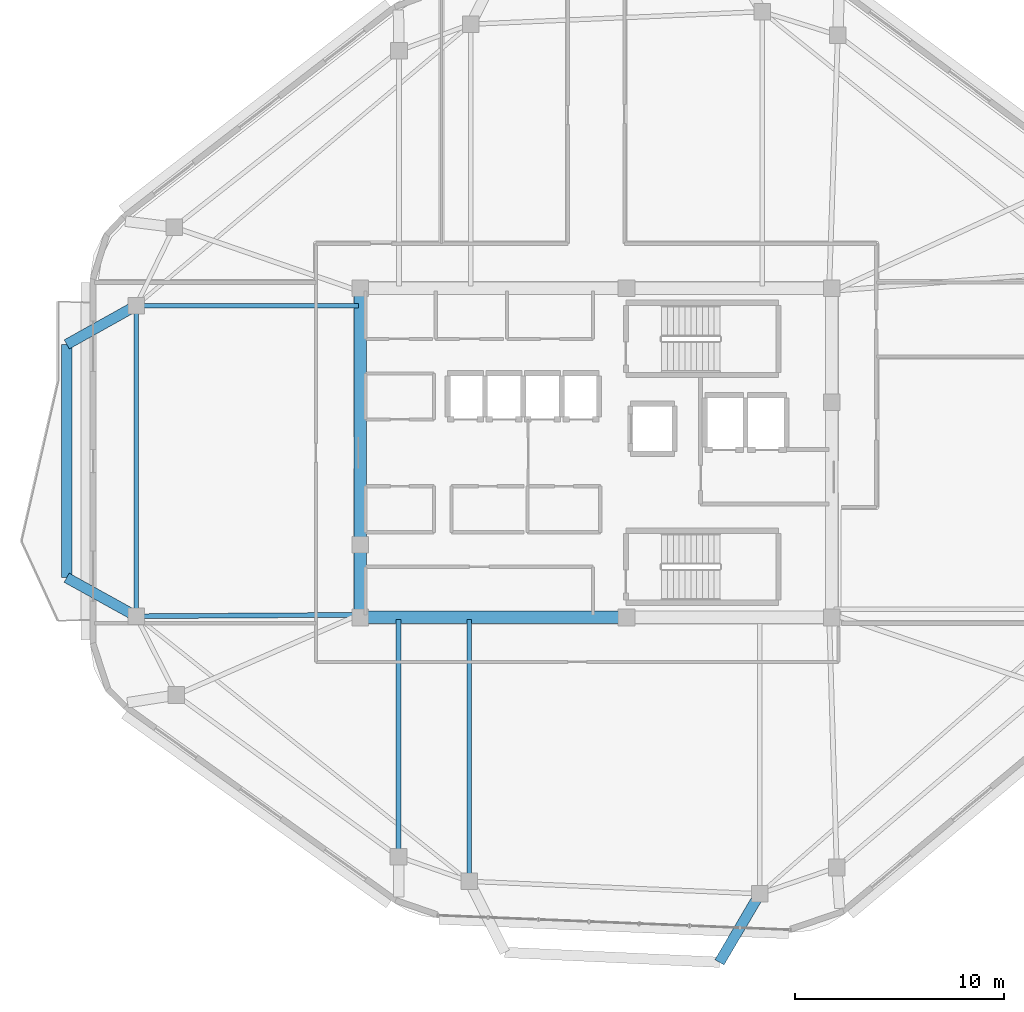
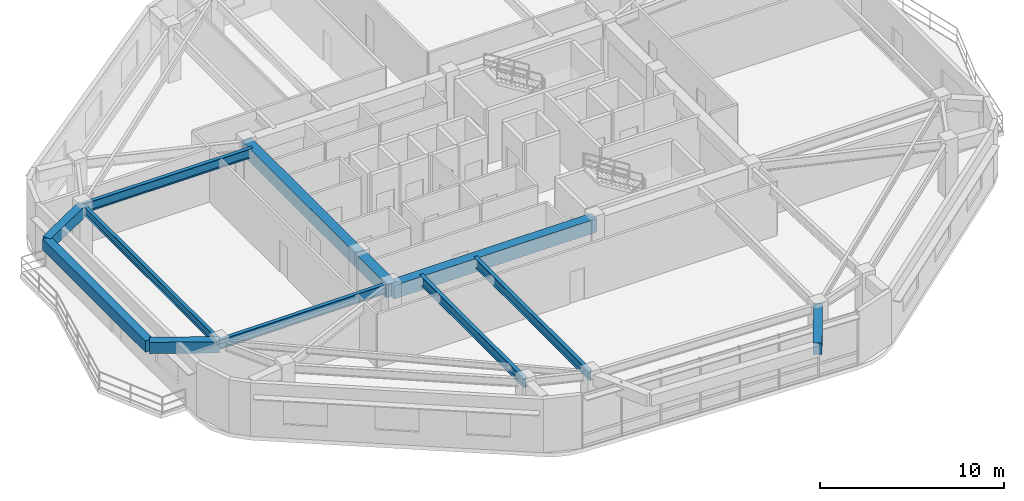
# One storey, part 4 of 13: 12 beams.
"""IFC4 building model written with IfcOpenShell, lengths in metres."""

from ifc_helpers import new_model, si_unit, direction, frame, origin, origin_2d, place, context, subcontext, project, spatial, rectangle, i_section, extrude, material, material_profile, profile_set, type_object, element, save


model = new_model("IFC4")

# Units and contexts
model_context = context("Model", 3, precision=1e-05, world=origin(), true_north=direction((0.0, 1.0)))
body_context = subcontext(model_context, "Body", "Model", "MODEL_VIEW")
ifc_project = project(units=[si_unit("LENGTHUNIT", "METRE"), si_unit("AREAUNIT", "SQUARE_METRE"), si_unit("VOLUMEUNIT", "CUBIC_METRE"), si_unit("PLANEANGLEUNIT", "RADIAN"), si_unit("MASSUNIT", "GRAM", prefix="KILO")], contexts=[model_context])

# Site, building, storey
site_placement = place(None, origin())
site = spatial("IfcSite", under=ifc_project, at=site_placement, CompositionType="ELEMENT")
building_placement = place(site_placement, origin())
building = spatial("IfcBuilding", under=site, at=building_placement, Name="Zulverin Broadcast Headquarters", CompositionType="ELEMENT")
storey_placement = place(building_placement, frame((0.0, 0.0, 278.199951171875)))
storey = spatial("IfcBuildingStorey", under=building, at=storey_placement, Name="L71", CompositionType="ELEMENT", Elevation=278.199951171875)

# Beams
ifc_material_1 = material(Name="Concrete C60/75", Category="concrete")
ifc_material_profile_1 = material_profile(ifc_material_1, rectangle(XDim=0.60009765625, YDim=0.89990234375, at=origin_2d()), Name="Concrete C60/75", Category="concrete")
ifc_profile_set_1 = profile_set([ifc_material_profile_1], Name="Concrete C60/75")
beam_type_1 = type_object("IfcBeamType", Name="BM-CB-600x900", PredefinedType="LINTEL", material=ifc_profile_set_1)
beam_1_placement = place(storey_placement, frame((25.72509765625, 17.324951171875, 3.090087890625), z_axis=(1.0, 0.0, 0.0), x_axis=(0.0, 1.0, 0.0)))
element("IfcBeam", 1, at=beam_1_placement, inside=storey, type_object=beam_type_1, Name="L71 Core Coupling Girder K01-K02", PredefinedType="LINTEL", context=body_context, shape_type="SweptSolid", body=[
    extrude(rectangle(XDim=0.60009765625, YDim=0.89990234375, at=origin_2d()), origin(), (0.0, 0.0, 1.0), 12.724853515625),
])
beam_2_placement = place(storey_placement, frame((25.72509765625, 33.074951171875, 3.090087890625), z_axis=(0.0, -1.0, 0.0), x_axis=(1.0, 0.0, 0.0)))
element("IfcBeam", 2, at=beam_2_placement, inside=storey, type_object=beam_type_1, Name="L71 Core Coupling Girder K07-K08", PredefinedType="LINTEL", context=body_context, shape_type="SweptSolid", body=[
    extrude(rectangle(XDim=0.60009765625, YDim=0.89990234375, at=origin_2d()), origin(), (0.0, 0.0, 1.0), 12.27490234375),
])
beam_3_placement = place(storey_placement, frame((25.72509765625, 20.800048828125, 3.090087890625), z_axis=(0.0, -1.0, 0.0), x_axis=(1.0, 0.0, 0.0)))
element("IfcBeam", 3, at=beam_3_placement, inside=storey, type_object=beam_type_1, Name="L71 Core Coupling Girder K08-K01", PredefinedType="LINTEL", context=body_context, shape_type="SweptSolid", body=[
    extrude(rectangle(XDim=0.60009765625, YDim=0.89990234375, at=origin_2d()), origin(), (0.0, 0.0, 1.0), 3.47509765625),
])
ifc_material_2 = material(Name="Concrete C40/50", Category="concrete")
ifc_material_profile_2 = material_profile(ifc_material_2, rectangle(XDim=0.5, YDim=0.75, at=origin_2d()), Name="Concrete C40/50", Category="concrete")
ifc_profile_set_2 = profile_set([ifc_material_profile_2], Name="Concrete C40/50")
beam_type_2 = type_object("IfcBeamType", Name="BM-RC-500x750", PredefinedType="BEAM", material=ifc_profile_set_2)
for number, where, z_axis, x_axis, name in (
    (4, (15.0, 32.236083984375, 3.1650390625), (-0.873048873834, -0.487632714137, 0.0), (0.487632714137, -0.873048873834, 0.0), "L72 Balcony Column-Framed Cantilever BAL_W-1"),
    (5, (15.0, 17.383056640625, 3.1650390625), (-0.874614506894, 0.484819001618, 0.0), (-0.484819001618, -0.874614506894, 0.0), "L72 Balcony Column-Framed Cantilever BAL_W-2"),
):
    element("IfcBeam", number, at=place(storey_placement, frame(where, z_axis=z_axis, x_axis=x_axis)), inside=storey, type_object=beam_type_2, Name=name, PredefinedType="BEAM", context=body_context, shape_type="SweptSolid", body=[
        extrude(rectangle(XDim=0.5, YDim=0.75, at=origin_2d()), origin(), (0.0, 0.0, 1.0), 3.800048828125),
    ])
beam_4_placement = place(storey_placement, frame((11.682373046875, 30.383056640625, 3.1650390625), z_axis=(-0.000525141059, -0.999999862113, 0.0), x_axis=(0.999999862113, -0.000525141059, 0.0)))
element("IfcBeam", 6, at=beam_4_placement, inside=storey, type_object=beam_type_2, Name="L72 Balcony Outer Edge Trimmer Beam BAL_W", PredefinedType="BEAM", context=body_context, shape_type="SweptSolid", body=[
    extrude(rectangle(XDim=0.5, YDim=0.75, at=origin_2d()), origin(), (0.0, 0.0, 1.0), 11.15771484375),
])
beam_5_placement = place(storey_placement, frame((44.826904296875, 4.1083984375, 3.1650390625), z_axis=(-0.506983625126, -0.861955685551, 0.0), x_axis=(0.861955685551, -0.506983625126, 0.0)))
element("IfcBeam", 7, at=beam_5_placement, inside=storey, type_object=beam_type_2, Name="L72 Balcony Column-Framed Cantilever BAL_S-2", PredefinedType="BEAM", context=body_context, shape_type="SweptSolid", body=[
    extrude(rectangle(XDim=0.5, YDim=0.75, at=origin_2d()), origin(), (0.0, 0.0, 1.0), 3.800048828125),
])
ifc_material_3 = material(Name="Structural steel S355JR", Category="steel")
ifc_material_profile_3 = material_profile(ifc_material_3, i_section(OverallWidth=0.2119140625, OverallDepth=0.54443359375, WebThickness=0.0126953125, FlangeThickness=0.021240234375, at=origin_2d()), Name="Structural steel S355JR", Category="steel")
ifc_profile_set_3 = profile_set([ifc_material_profile_3], Name="Structural steel S355JR")
beam_type_3 = type_object("IfcBeamType", Name="BM-UB-533", PredefinedType="SPANDREL", material=ifc_profile_set_3)
beam_6_placement = place(storey_placement, frame((15.0, 32.236083984375, 3.267822265625), z_axis=(0.0, -1.0, 0.0), x_axis=(1.0, 0.0, 0.0)))
element("IfcBeam", 8, at=beam_6_placement, inside=storey, type_object=beam_type_3, Name="L71 Perimeter Spandrel Beam SP-13", PredefinedType="SPANDREL", context=body_context, shape_type="SweptSolid", body=[
    extrude(i_section(OverallWidth=0.2119140625, OverallDepth=0.54443359375, WebThickness=0.0126953125, FlangeThickness=0.021240234375, at=origin_2d()), origin(), (0.0, 0.0, 1.0), 14.85302734375),
])
ifc_material_profile_4 = material_profile(ifc_material_3, i_section(OverallWidth=0.230224609375, OverallDepth=0.6171875, WebThickness=0.01318359375, FlangeThickness=0.022216796875, at=origin_2d()), Name="Structural steel S355JR", Category="steel")
ifc_profile_set_4 = profile_set([ifc_material_profile_4], Name="Structural steel S355JR")
beam_type_4 = type_object("IfcBeamType", Name="BM-UB-610", PredefinedType="BEAM", material=ifc_profile_set_4)
beam_7_placement = place(storey_placement, frame((30.93359375, 17.22509765625, 3.2314453125), z_axis=(0.0, -1.0, 0.0), x_axis=(1.0, 0.0, 0.0)))
element("IfcBeam", 9, at=beam_7_placement, inside=storey, type_object=beam_type_4, Name="L71 Radial Primary Floor Beam RB-01", PredefinedType="BEAM", context=body_context, shape_type="SweptSolid", body=[
    extrude(i_section(OverallWidth=0.230224609375, OverallDepth=0.6171875, WebThickness=0.01318359375, FlangeThickness=0.022216796875, at=origin_2d()), origin(), (0.0, 0.0, 1.0), 12.52197265625),
])
beam_8_placement = place(storey_placement, frame((25.625, 32.236083984375, 3.2314453125), z_axis=(-1.0, 0.0, 0.0), x_axis=(0.0, -1.0, 0.0)))
element("IfcBeam", 10, at=beam_8_placement, inside=storey, type_object=beam_type_4, Name="L71 Radial Primary Floor Beam RB-13", PredefinedType="BEAM", context=body_context, shape_type="SweptSolid", body=[
    extrude(i_section(OverallWidth=0.230224609375, OverallDepth=0.6171875, WebThickness=0.01318359375, FlangeThickness=0.022216796875, at=origin_2d()), origin(), (0.0, 0.0, 1.0), 10.625),
])
beam_9_placement = place(storey_placement, frame((25.625, 17.449951171875, 3.2314453125), z_axis=(-0.999980181059, -0.006295831103, 0.0), x_axis=(0.006295831103, -0.999980181059, 0.0)))
element("IfcBeam", 11, at=beam_9_placement, inside=storey, type_object=beam_type_4, Name="L71 Radial Primary Floor Beam RB-14", PredefinedType="BEAM", context=body_context, shape_type="SweptSolid", body=[
    extrude(i_section(OverallWidth=0.230224609375, OverallDepth=0.6171875, WebThickness=0.01318359375, FlangeThickness=0.022216796875, at=origin_2d()), origin(), (0.0, 0.0, 1.0), 10.625244140625),
])
beam_10_placement = place(storey_placement, frame((27.54541015625, 17.22509765625, 3.2314453125), z_axis=(0.0, -1.0, 0.0), x_axis=(1.0, 0.0, 0.0)))
element("IfcBeam", 12, at=beam_10_placement, inside=storey, type_object=beam_type_4, Name="L71 Radial Primary Floor Beam RB-16", PredefinedType="BEAM", context=body_context, shape_type="SweptSolid", body=[
    extrude(i_section(OverallWidth=0.230224609375, OverallDepth=0.6171875, WebThickness=0.01318359375, FlangeThickness=0.022216796875, at=origin_2d()), origin(), (0.0, 0.0, 1.0), 11.33935546875),
])

save(model, "model.ifc")
